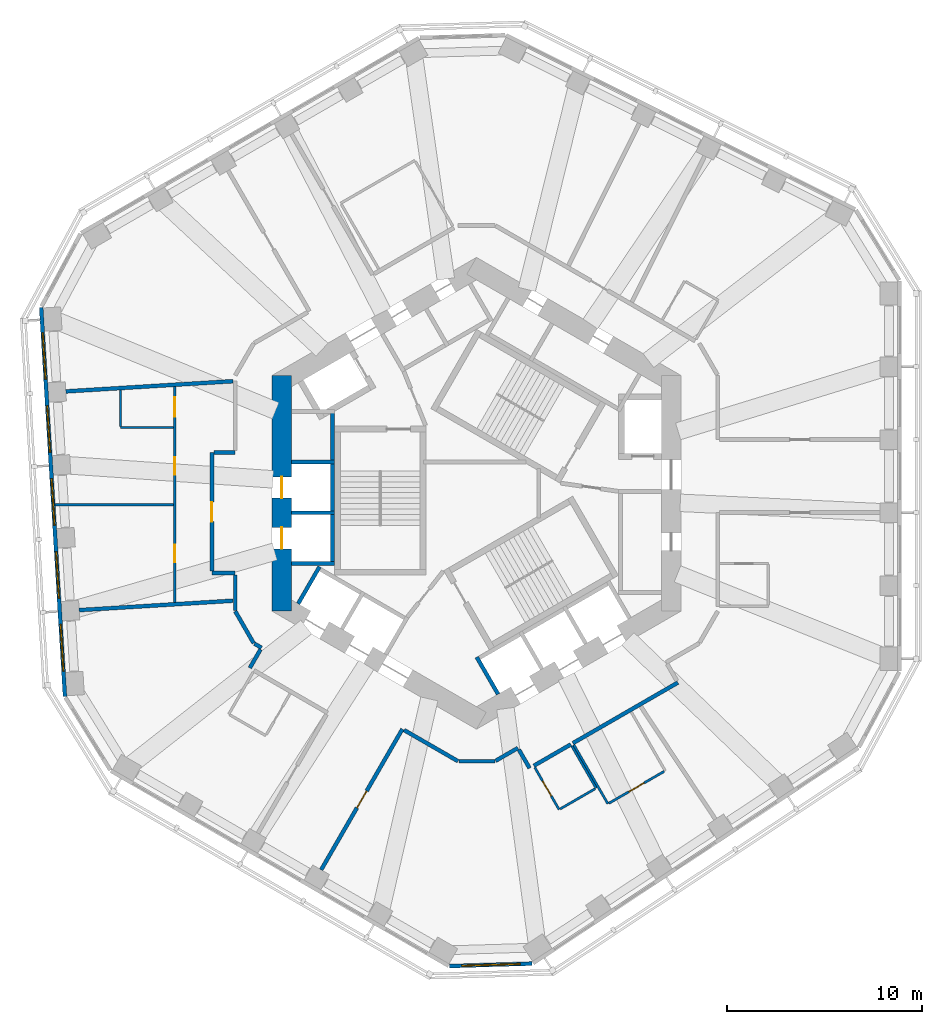
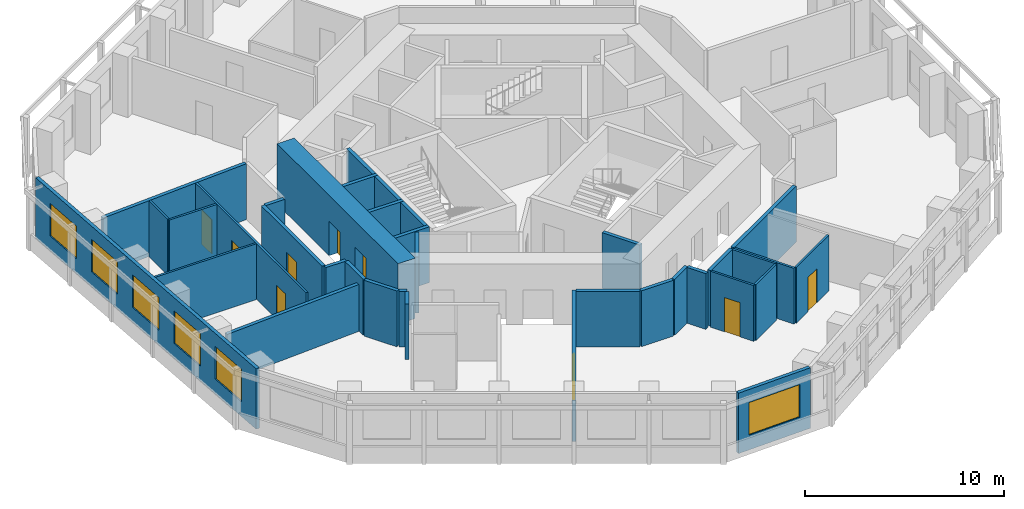
# One storey, part 4 of 11: 34 walls, 9 doors, 6 windows, 15 openings.
"""IFC4 building model written with IfcOpenShell, lengths in metres."""

import ifcopenshell
import ifcopenshell.guid

model = None  # the IFC model being written
_history = None  # IfcOwnerHistory: only IFC2X3 demands one
_inside = {}  # id of a spatial element -> (the spatial element, [elements in it])
_under = {}  # id of a project, library or spatial element -> (it, [spatial elements below it])
_declared = {}  # id of a project -> (the project, [libraries it declares])
_typed = {}  # id of a type object -> (the type object, [elements of that type])
_made_of = {}  # id of a material, layer set ... -> (it, [elements and type objects made of it])


def new_model(schema):
    """Start an empty IFC model of exactly this schema.

    Asked for "IFC4X3", IfcOpenShell would pick the latest addendum, in which some entities
    have other attributes; the version numbers below select the first issue.
    IFC2X3 requires an IfcOwnerHistory on every rooted entity: one is made here for all.
    """
    global model, _history
    if schema == "IFC4X3":
        model = ifcopenshell.file(schema_version=(4, 3, 0, 0))
    else:
        model = ifcopenshell.file(schema=schema)
    _inside.clear()
    _under.clear()
    _declared.clear()
    _typed.clear()
    _made_of.clear()
    _history = None
    if model.schema == "IFC2X3":
        org = make("IfcOrganization", Name="unknown")
        user = make(
            "IfcPersonAndOrganization",
            ThePerson=make("IfcPerson", FamilyName="unknown"),
            TheOrganization=org,
        )
        app = make(
            "IfcApplication",
            ApplicationDeveloper=org,
            Version="unknown",
            ApplicationFullName="unknown",
            ApplicationIdentifier="unknown",
        )
        _history = make(
            "IfcOwnerHistory",
            OwningUser=user,
            OwningApplication=app,
            ChangeAction="ADDED",
            CreationDate=0,
        )
    return model


def make(cls, **values):
    """One entity of the class cls with the attributes given. An attribute that is None is left unset."""
    return model.create_entity(
        cls, **{name: value for name, value in values.items() if value is not None}
    )


def rooted(cls, **values):
    """An entity with a GlobalId (a new one), such as an element, a storey or a relation."""
    return make(cls, GlobalId=ifcopenshell.guid.new(), OwnerHistory=_history, **values)


def si_unit(unit_type, name, prefix=None):
    """IfcSIUnit, for example si_unit("LENGTHUNIT", "METRE", prefix="MILLI")."""
    return make("IfcSIUnit", UnitType=unit_type, Prefix=prefix, Name=name)


def assignment(units):
    """IfcUnitAssignment: the units of a project."""
    return None if units is None else make("IfcUnitAssignment", Units=units)


def point(xyz):
    """IfcCartesianPoint."""
    return None if xyz is None else make("IfcCartesianPoint", Coordinates=xyz)


def direction(xyz):
    """IfcDirection."""
    return None if xyz is None else make("IfcDirection", DirectionRatios=xyz)


def frame(location, z_axis=None, x_axis=None):
    """IfcAxis2Placement3D, a coordinate frame: its origin and axes. An axis left out is left unset."""
    return make(
        "IfcAxis2Placement3D",
        Location=point(location),
        Axis=direction(z_axis),
        RefDirection=direction(x_axis),
    )


def frame_2d(location, x_axis=None):
    """IfcAxis2Placement2D, a coordinate frame in the plane: its origin and x axis."""
    return make(
        "IfcAxis2Placement2D", Location=point(location), RefDirection=direction(x_axis)
    )


def origin():
    """The frame at (0, 0, 0) with its axes left unset."""
    return frame((0.0, 0.0, 0.0))


def place(relative_to, where):
    """IfcLocalPlacement: puts the frame where relative to a parent placement (None: the world)."""
    return make(
        "IfcLocalPlacement", PlacementRelTo=relative_to, RelativePlacement=where
    )


def context(
    kind, dimensions, precision=None, world=None, true_north=None, identifier=None
):
    """IfcGeometricRepresentationContext, for example the 3D "Model" context."""
    return make(
        "IfcGeometricRepresentationContext",
        ContextIdentifier=identifier,
        ContextType=kind,
        CoordinateSpaceDimension=dimensions,
        Precision=precision,
        WorldCoordinateSystem=world,
        TrueNorth=true_north,
    )


def subcontext(parent, identifier, kind, view, scale=None):
    """IfcGeometricRepresentationSubContext, for example "Body" below "Model"."""
    return make(
        "IfcGeometricRepresentationSubContext",
        ContextIdentifier=identifier,
        ContextType=kind,
        ParentContext=parent,
        TargetScale=scale,
        TargetView=view,
    )


def project(units=None, contexts=None):
    """IfcProject with its units and contexts."""
    return rooted(
        "IfcProject",
        Name="project",
        RepresentationContexts=contexts,
        UnitsInContext=assignment(units),
    )


def spatial(cls, under=None, at=None, **own):
    """A site, building, storey or space (cls), placed at a placement, below another one or the project."""
    s = rooted(cls, ObjectPlacement=at, **own)
    if under is not None:
        _under.setdefault(under.id(), (under, []))[1].append(s)
    return s


def profile(cls, at=None, kind="AREA", **sizes):
    """A parametric profile (cls). Its sizes go by their IFC names, for example OverallWidth=200.0."""
    return make(cls, ProfileType=kind, Position=at, **sizes)


def rectangle(**sizes):
    """IfcRectangleProfileDef."""
    return profile("IfcRectangleProfileDef", **sizes)


def extrude(swept, where, along, depth):
    """IfcExtrudedAreaSolid: the profile swept, set in the frame where, extruded along a direction by depth."""
    return make(
        "IfcExtrudedAreaSolid",
        SweptArea=swept,
        Position=where,
        ExtrudedDirection=direction(along),
        Depth=depth,
    )


def shape(context_of_items, identifier, shape_type, items):
    """IfcShapeRepresentation: the items that make up one representation, for example the "Body"."""
    return make(
        "IfcShapeRepresentation",
        ContextOfItems=context_of_items,
        RepresentationIdentifier=identifier,
        RepresentationType=shape_type,
        Items=items,
    )


def material(Name=None, Category=None):
    """IfcMaterial."""
    return make("IfcMaterial", Name=Name, Category=Category)


def layer(
    of_material, thickness, ventilated=None, Name=None, Category=None, Priority=None
):
    """IfcMaterialLayer: one layer of a wall or slab, of a material (None: an air gap)."""
    return make(
        "IfcMaterialLayer",
        Material=of_material,
        LayerThickness=thickness,
        IsVentilated=ventilated,
        Name=Name,
        Category=Category,
        Priority=Priority,
    )


def layer_set(layers, Name=None):
    """IfcMaterialLayerSet."""
    return make("IfcMaterialLayerSet", MaterialLayers=layers, LayerSetName=Name)


def made_of(thing, what):
    """Note that an element or type object is made of a material, layer set ...; save() writes the relation."""
    if what is not None:
        _made_of.setdefault(what.id(), (what, []))[1].append(thing)
    return thing


def type_object(cls, material=None, **own):
    """A type object (cls), such as IfcWallType, which elements share."""
    return made_of(rooted(cls, **own), material)


def element(
    cls,
    number,
    at=None,
    inside=None,
    cuts=None,
    type_object=None,
    material=None,
    context=None,
    identifier="Body",
    shape_type=None,
    held_by="IfcProductDefinitionShape",
    body=None,
    shapes=None,
    **own,
):
    """One element of the class cls, such as IfcWall. Its Tag is "e" and its number.

    at: its placement. inside: the storey or other place that contains it. cuts: it is an
    opening in that element (IfcRelVoidsElement). A single representation is given by context,
    identifier, shape_type and body (its items); several are given by shapes. held_by: the class
    of the entity that holds the representations. save() writes the other relations.
    """
    e = rooted(cls, Tag="e%d" % number, ObjectPlacement=at, **own)
    if body is not None:
        shapes = [shape(context, identifier, shape_type, body)]
    if shapes is not None:
        e.Representation = make(held_by, Representations=shapes)
    if inside is not None:
        _inside.setdefault(inside.id(), (inside, []))[1].append(e)
    if cuts is not None:
        rooted(
            "IfcRelVoidsElement", RelatingBuildingElement=cuts, RelatedOpeningElement=e
        )
    if type_object is not None:
        _typed.setdefault(type_object.id(), (type_object, []))[1].append(e)
    return made_of(e, material)


def fill(opening, filler):
    """IfcRelFillsElement: the door or window that sits in an opening."""
    return rooted(
        "IfcRelFillsElement",
        RelatingOpeningElement=opening,
        RelatedBuildingElement=filler,
    )


def aggregate(whole, parts):
    """IfcRelAggregates: a whole, such as a stair, and the parts it consists of."""
    return rooted("IfcRelAggregates", RelatingObject=whole, RelatedObjects=parts)


def save(model, path):
    """Write the relations noted so far, then the file.

    IfcRelAggregates (storeys below a building ...), IfcRelContainedInSpatialStructure (elements
    in a storey), IfcRelDefinesByType, IfcRelAssociatesMaterial and IfcRelDeclares: one each for
    every whole, place, type object, material and project.
    """
    for whole, parts in _under.values():
        aggregate(whole, parts)
    for where, things in _inside.values():
        rooted(
            "IfcRelContainedInSpatialStructure",
            RelatedElements=things,
            RelatingStructure=where,
        )
    for kind, things in _typed.values():
        rooted("IfcRelDefinesByType", RelatedObjects=things, RelatingType=kind)
    for what, things in _made_of.values():
        rooted("IfcRelAssociatesMaterial", RelatedObjects=things, RelatingMaterial=what)
    for by, libraries in _declared.values():
        rooted("IfcRelDeclares", RelatingContext=by, RelatedDefinitions=libraries)
    model.write(path)


model = new_model("IFC4")

# Units and contexts
model_context = context("Model", 3, precision=1e-05, world=origin(), true_north=direction((0.0, 1.0)))
body_context = subcontext(model_context, "Body", "Model", "MODEL_VIEW")
ifc_project = project(units=[si_unit("LENGTHUNIT", "METRE"), si_unit("AREAUNIT", "SQUARE_METRE"), si_unit("VOLUMEUNIT", "CUBIC_METRE"), si_unit("PLANEANGLEUNIT", "RADIAN"), si_unit("MASSUNIT", "GRAM", prefix="KILO")], contexts=[model_context])

# Site, building, storey
site_placement = place(None, origin())
site = spatial("IfcSite", under=ifc_project, at=site_placement, CompositionType="ELEMENT")
building_placement = place(site_placement, origin())
building = spatial("IfcBuilding", under=site, at=building_placement, Name="Vanh Sen Convention Tower", CompositionType="ELEMENT")
storey_placement = place(building_placement, frame((0.0, 0.0, 154.0)))
storey = spatial("IfcBuildingStorey", under=building, at=storey_placement, Name="L37", CompositionType="ELEMENT", Elevation=154.0)

# Walls
ifc_material_1 = material(Name="Moisture-resistant gypsum board on steel studs", Category="steel")
ifc_layer_1 = layer(ifc_material_1, 0.1201171875)
ifc_layer_set_1 = layer_set([ifc_layer_1], Name="Moisture-resistant gypsum board on steel studs")
wall_type_1 = type_object("IfcWallType", Name="Bathroom partition 120", PredefinedType="PARTITIONING", material=ifc_layer_set_1)
wall_1_placement = place(storey_placement, frame((-21.65380859375, -0.591796875, 0.0), z_axis=(0.0, 0.0, 1.0), x_axis=(1.0, 0.0, 0.0)))
element("IfcWall", 1, at=wall_1_placement, inside=storey, type_object=wall_type_1, Name="Bathroom partition 120", PredefinedType="PARTITIONING", context=body_context, shape_type="SweptSolid", body=[
    extrude(rectangle(XDim=6.0927734375, YDim=0.1201171875, at=frame_2d((3.04638671875, 0.0))), origin(), (0.0, 0.0, 1.0), 3.419921875),
])
wall_2_placement = place(storey_placement, frame((-18.301025390625, 3.379638671875, 0.0), z_axis=(0.0, 0.0, 1.0), x_axis=(1.0, 0.0, 0.0)))
element("IfcWall", 2, at=wall_2_placement, inside=storey, type_object=wall_type_1, Name="Bathroom partition 120", PredefinedType="PARTITIONING", context=body_context, shape_type="SweptSolid", body=[
    extrude(rectangle(XDim=2.739990234375, YDim=0.1201171875, at=frame_2d((1.3701171875, 0.0))), origin(), (0.0, 0.0, 1.0), 3.419921875),
])
wall_3_placement = place(storey_placement, frame((-18.301025390625, 5.308349609375, 0.0), z_axis=(0.0, 0.0, 1.0), x_axis=(0.0, -1.0, 0.0)))
element("IfcWall", 3, at=wall_3_placement, inside=storey, type_object=wall_type_1, Name="Bathroom partition 120", PredefinedType="PARTITIONING", context=body_context, shape_type="SweptSolid", body=[
    extrude(rectangle(XDim=1.86865234375, YDim=0.1201171875, at=frame_2d((0.934326171875, 0.0))), origin(), (0.0, 0.0, 1.0), 3.419921875),
])

# Wall, openings, doors
wall_4_placement = place(storey_placement, frame((-15.5009765625, 5.4794921875, 0.0), z_axis=(0.0, 0.0, 1.0), x_axis=(0.0, -1.0, 0.0)))
wall_4 = element("IfcWall", 4, at=wall_4_placement, inside=storey, type_object=wall_type_1, Name="Bathroom partition 120", PredefinedType="PARTITIONING", context=body_context, shape_type="SweptSolid", body=[
    extrude(rectangle(XDim=11.08349609375, YDim=0.1201171875, at=frame_2d((5.541748046875, 0.0))), origin(), (0.0, 0.0, 1.0), 3.419921875),
])
opening_1_placement = place(wall_4_placement, frame((0.550048828125, 0.0, 0.0)))
opening_1 = element("IfcOpeningElement", 5, at=opening_1_placement, cuts=wall_4, Name="Opening D35108", PredefinedType="OPENING", context=body_context, shape_type="SweptSolid", body=[
    extrude(rectangle(XDim=1.0, YDim=2.10009765625, at=frame_2d((0.5, 1.050048828125))), frame((0.0, 0.070068359375, 0.0), z_axis=(0.0, -1.0, 0.0), x_axis=(1.0, 0.0, 0.0)), (0.0, 0.0, 1.0), 0.14013671875),
])
opening_2_placement = place(wall_4_placement, frame((3.6357421875, 0.0, 0.0)))
opening_2 = element("IfcOpeningElement", 6, at=opening_2_placement, cuts=wall_4, Name="Opening D35109", PredefinedType="OPENING", context=body_context, shape_type="SweptSolid", body=[
    extrude(rectangle(XDim=0.89990234375, YDim=2.10009765625, at=frame_2d((0.449951171875, 1.050048828125))), frame((0.0, 0.070068359375, 0.0), z_axis=(0.0, -1.0, 0.0), x_axis=(1.0, 0.0, 0.0)), (0.0, 0.0, 1.0), 0.14013671875),
])
opening_3_placement = place(wall_4_placement, frame((8.12744140625, 0.0, 0.0)))
opening_3 = element("IfcOpeningElement", 7, at=opening_3_placement, cuts=wall_4, Name="Opening D35110", PredefinedType="OPENING", context=body_context, shape_type="SweptSolid", body=[
    extrude(rectangle(XDim=0.89990234375, YDim=2.10009765625, at=frame_2d((0.449951171875, 1.050048828125))), frame((0.0, 0.070068359375, 0.0), z_axis=(0.0, -1.0, 0.0), x_axis=(1.0, 0.0, 0.0)), (0.0, 0.0, 1.0), 0.14013671875),
])
ifc_material_2 = material(Name="Laminate door in steel frame", Category="steel")
door_type_1 = type_object("IfcDoorType", Name="Accessible WC door 1000", OperationType="SINGLE_SWING_LEFT", PredefinedType="DOOR", material=ifc_material_2)
door_1_placement = place(opening_1_placement, origin())
door_1 = element("IfcDoor", 8, at=door_1_placement, inside=storey, type_object=door_type_1, Name="Accessible WC door D35108", OperationType="SINGLE_SWING_LEFT", OverallHeight=2.10009765625, OverallWidth=1.0, PredefinedType="DOOR", context=body_context, shape_type="SweptSolid", body=[
    extrude(rectangle(XDim=1.0, YDim=2.10009765625, at=frame_2d((0.5, 1.050048828125))), frame((0.0, 0.02490234375, 0.0), z_axis=(0.0, -1.0, 0.0), x_axis=(1.0, 0.0, 0.0)), (0.0, 0.0, 1.0), 0.050048828125),
])
fill(opening_1, door_1)
door_type_2 = type_object("IfcDoorType", Name="Room internal door 900", OperationType="SINGLE_SWING_LEFT", PredefinedType="DOOR", material=ifc_material_2)
door_2_placement = place(opening_2_placement, origin())
door_2 = element("IfcDoor", 9, at=door_2_placement, inside=storey, type_object=door_type_2, Name="Internal room door D35109", OperationType="SINGLE_SWING_LEFT", OverallHeight=2.10009765625, OverallWidth=0.89990234375, PredefinedType="DOOR", context=body_context, shape_type="SweptSolid", body=[
    extrude(rectangle(XDim=0.89990234375, YDim=2.10009765625, at=frame_2d((0.449951171875, 1.050048828125))), frame((0.0, 0.02490234375, 0.0), z_axis=(0.0, -1.0, 0.0), x_axis=(1.0, 0.0, 0.0)), (0.0, 0.0, 1.0), 0.050048828125),
])
fill(opening_2, door_2)
door_3_placement = place(opening_3_placement, origin())
door_3 = element("IfcDoor", 10, at=door_3_placement, inside=storey, type_object=door_type_2, Name="Internal room door D35110", OperationType="SINGLE_SWING_LEFT", OverallHeight=2.10009765625, OverallWidth=0.89990234375, PredefinedType="DOOR", context=body_context, shape_type="SweptSolid", body=[
    extrude(rectangle(XDim=0.89990234375, YDim=2.10009765625, at=frame_2d((0.449951171875, 1.050048828125))), frame((0.0, 0.02490234375, 0.0), z_axis=(0.0, -1.0, 0.0), x_axis=(1.0, 0.0, 0.0)), (0.0, 0.0, 1.0), 0.050048828125),
])
fill(opening_3, door_3)

# Wall, opening, door
wall_5_placement = place(storey_placement, frame((4.245849609375, -16.256103515625, 0.0), z_axis=(0.0, 0.0, 1.0), x_axis=(-0.499961950354, 0.866047370643, 0.0)))
wall_5 = element("IfcWall", 11, at=wall_5_placement, inside=storey, type_object=wall_type_1, Name="Bathroom partition 120", PredefinedType="PARTITIONING", context=body_context, shape_type="SweptSolid", body=[
    extrude(rectangle(XDim=2.500244140625, YDim=0.1201171875, at=frame_2d((1.25, 0.0))), origin(), (0.0, 0.0, 1.0), 3.419921875),
])
opening_4_placement = place(wall_5_placement, frame((0.800048828125, 0.0, 0.0)))
opening_4 = element("IfcOpeningElement", 12, at=opening_4_placement, cuts=wall_5, Name="Opening D35114", PredefinedType="OPENING", context=body_context, shape_type="SweptSolid", body=[
    extrude(rectangle(XDim=0.89990234375, YDim=2.10009765625, at=frame_2d((0.449951171875, 1.050048828125))), frame((0.0, 0.070068359375, 0.0), z_axis=(0.0, -1.0, 0.0), x_axis=(1.0, 0.0, 0.0)), (0.0, 0.0, 1.0), 0.14013671875),
])
door_4_placement = place(opening_4_placement, origin())
door_4 = element("IfcDoor", 13, at=door_4_placement, inside=storey, type_object=door_type_2, Name="Internal room door D35114", OperationType="SINGLE_SWING_LEFT", OverallHeight=2.10009765625, OverallWidth=0.89990234375, PredefinedType="DOOR", context=body_context, shape_type="SweptSolid", body=[
    extrude(rectangle(XDim=0.89990234375, YDim=2.10009765625, at=frame_2d((0.449951171875, 1.050048828125))), frame((0.0, 0.02490234375, 0.0), z_axis=(0.0, -1.0, 0.0), x_axis=(1.0, 0.0, 0.0)), (0.0, 0.0, 1.0), 0.050048828125),
])
fill(opening_4, door_4)

# Walls
wall_6_placement = place(storey_placement, frame((4.901123046875, -12.990966796875, 0.0), z_axis=(0.0, 0.0, 1.0), x_axis=(0.500004234368, -0.866022959057, 0.0)))
element("IfcWall", 14, at=wall_6_placement, inside=storey, type_object=wall_type_1, Name="Bathroom partition 120", PredefinedType="PARTITIONING", context=body_context, shape_type="SweptSolid", body=[
    extrude(rectangle(XDim=2.5, YDim=0.1201171875, at=frame_2d((1.25, 0.0))), origin(), (0.0, 0.0, 1.0), 3.419921875),
])
wall_7_placement = place(storey_placement, frame((6.09912109375, -15.18603515625, 0.0), z_axis=(0.0, 0.0, 1.0), x_axis=(-0.866009661879, -0.500027264788, 0.0)))
element("IfcWall", 15, at=wall_7_placement, inside=storey, type_object=wall_type_1, Name="Bathroom partition 120", PredefinedType="PARTITIONING", context=body_context, shape_type="SweptSolid", body=[
    extrude(rectangle(XDim=2.080078125, YDim=0.1201171875, at=frame_2d((1.0400390625, 0.0))), origin(), (0.0, 0.0, 1.0), 3.419921875),
])
wall_8_placement = place(storey_placement, frame((6.7548828125, -15.9619140625, 0.0), z_axis=(0.0, 0.0, 1.0), x_axis=(-0.500010275428, 0.866019471182, 0.0)))
element("IfcWall", 16, at=wall_8_placement, inside=storey, type_object=wall_type_1, Name="Bathroom partition 120", PredefinedType="PARTITIONING", context=body_context, shape_type="SweptSolid", body=[
    extrude(rectangle(XDim=3.5, YDim=0.1201171875, at=frame_2d((1.75, 0.0))), origin(), (0.0, 0.0, 1.0), 3.419921875),
])

# Wall, opening, door
wall_9_placement = place(storey_placement, frame((9.6474609375, -14.2919921875, 0.0), z_axis=(0.0, 0.0, 1.0), x_axis=(-0.866040564224, -0.499973740429, 0.0)))
wall_9 = element("IfcWall", 17, at=wall_9_placement, inside=storey, type_object=wall_type_1, Name="Bathroom partition 120", PredefinedType="PARTITIONING", context=body_context, shape_type="SweptSolid", body=[
    extrude(rectangle(XDim=3.280029296875, YDim=0.1201171875, at=frame_2d((1.64013671875, 0.0))), origin(), (0.0, 0.0, 1.0), 3.419921875),
])
opening_5_placement = place(wall_9_placement, frame((1.18994140625, 0.0, 0.0)))
opening_5 = element("IfcOpeningElement", 18, at=opening_5_placement, cuts=wall_9, Name="Opening D35115", PredefinedType="OPENING", context=body_context, shape_type="SweptSolid", body=[
    extrude(rectangle(XDim=0.89990234375, YDim=2.10009765625, at=frame_2d((0.449951171875, 1.050048828125))), frame((0.0, 0.070068359375, 0.0), z_axis=(0.0, -1.0, 0.0), x_axis=(1.0, 0.0, 0.0)), (0.0, 0.0, 1.0), 0.14013671875),
])
door_5_placement = place(opening_5_placement, origin())
door_5 = element("IfcDoor", 19, at=door_5_placement, inside=storey, type_object=door_type_2, Name="Internal room door D35115", OperationType="SINGLE_SWING_LEFT", OverallHeight=2.10009765625, OverallWidth=0.89990234375, PredefinedType="DOOR", context=body_context, shape_type="SweptSolid", body=[
    extrude(rectangle(XDim=0.89990234375, YDim=2.10009765625, at=frame_2d((0.449951171875, 1.050048828125))), frame((0.0, 0.02490234375, 0.0), z_axis=(0.0, -1.0, 0.0), x_axis=(1.0, 0.0, 0.0)), (0.0, 0.0, 1.0), 0.050048828125),
])
fill(opening_5, door_5)

# Wall, openings, doors
ifc_material_3 = material(Name="Concrete C80/95", Category="concrete")
ifc_layer_2 = layer(ifc_material_3, 1.0)
ifc_layer_set_2 = layer_set([ifc_layer_2], Name="Concrete C80/95")
wall_type_2 = type_object("IfcWallType", Name="Core outer wall 1000 C80/95", PredefinedType="SHEAR", material=ifc_layer_set_2)
wall_10_placement = place(storey_placement, frame((-10.0, 6.062255859375, 0.0), z_axis=(0.0, 0.0, 1.0), x_axis=(0.0, -1.0, 0.0)))
wall_10 = element("IfcWall", 20, at=wall_10_placement, inside=storey, type_object=wall_type_2, Name="Core wall face W L37", PredefinedType="SHEAR", context=body_context, shape_type="SweptSolid", body=[
    extrude(rectangle(XDim=12.12451171875, YDim=1.0, at=frame_2d((6.062255859375, 0.0))), origin(), (0.0, 0.0, 1.0), 3.699951171875),
])
opening_6_placement = place(wall_10_placement, frame((5.212158203125, 0.0, 0.0)))
opening_6 = element("IfcOpeningElement", 21, at=opening_6_placement, cuts=wall_10, Name="Opening LD-HR1", PredefinedType="OPENING", context=body_context, shape_type="SweptSolid", body=[
    extrude(rectangle(XDim=1.10009765625, YDim=2.10009765625, at=frame_2d((0.550048828125, 1.050048828125))), frame((0.0, 0.510009765625, 0.0), z_axis=(0.0, -1.0, 0.0), x_axis=(1.0, 0.0, 0.0)), (0.0, 0.0, 1.0), 1.02001953125),
])
opening_7_placement = place(wall_10_placement, frame((7.812255859375, 0.0, 0.0)))
opening_7 = element("IfcOpeningElement", 22, at=opening_7_placement, cuts=wall_10, Name="Opening LD-HR2", PredefinedType="OPENING", context=body_context, shape_type="SweptSolid", body=[
    extrude(rectangle(XDim=1.10009765625, YDim=2.10009765625, at=frame_2d((0.550048828125, 1.050048828125))), frame((0.0, 0.510009765625, 0.0), z_axis=(0.0, -1.0, 0.0), x_axis=(1.0, 0.0, 0.0)), (0.0, 0.0, 1.0), 1.02001953125),
])
ifc_material_4 = material(Name="Stainless steel", Category="steel")
door_type_3 = type_object("IfcDoorType", Name="Lift landing door 1100", OperationType="DOUBLE_DOOR_SLIDING", PredefinedType="DOOR", material=ifc_material_4)
door_6_placement = place(opening_6_placement, origin())
door_6 = element("IfcDoor", 23, at=door_6_placement, inside=storey, type_object=door_type_3, Name="Lift HR1 landing door LD-HR1", OperationType="DOUBLE_DOOR_SLIDING", OverallHeight=2.10009765625, OverallWidth=1.10009765625, PredefinedType="DOOR", context=body_context, shape_type="SweptSolid", body=[
    extrude(rectangle(XDim=1.10009765625, YDim=2.10009765625, at=frame_2d((0.550048828125, 1.050048828125))), frame((0.0, 0.02490234375, 0.0), z_axis=(0.0, -1.0, 0.0), x_axis=(1.0, 0.0, 0.0)), (0.0, 0.0, 1.0), 0.050048828125),
])
fill(opening_6, door_6)
door_7_placement = place(opening_7_placement, origin())
door_7 = element("IfcDoor", 24, at=door_7_placement, inside=storey, type_object=door_type_3, Name="Lift HR2 landing door LD-HR2", OperationType="DOUBLE_DOOR_SLIDING", OverallHeight=2.10009765625, OverallWidth=1.10009765625, PredefinedType="DOOR", context=body_context, shape_type="SweptSolid", body=[
    extrude(rectangle(XDim=1.10009765625, YDim=2.10009765625, at=frame_2d((0.550048828125, 1.050048828125))), frame((0.0, 0.02490234375, 0.0), z_axis=(0.0, -1.0, 0.0), x_axis=(1.0, 0.0, 0.0)), (0.0, 0.0, 1.0), 0.050048828125),
])
fill(opening_7, door_7)

# Wall
ifc_material_5 = material(Name="Gypsum board on steel studs with mineral wool", Category="steel")
ifc_layer_3 = layer(ifc_material_5, 0.199951171875)
ifc_layer_set_3 = layer_set([ifc_layer_3], Name="Gypsum board on steel studs with mineral wool")
wall_type_3 = type_object("IfcWallType", Name="Corridor partition wall 200", PredefinedType="PARTITIONING", material=ifc_layer_set_3)
wall_11_placement = place(storey_placement, frame((-13.60107421875, -4.10107421875, 0.0), z_axis=(0.0, 0.0, 1.0), x_axis=(1.0, 0.0, 0.0)))
element("IfcWall", 25, at=wall_11_placement, inside=storey, type_object=wall_type_3, Name="Corridor partition wall 200", PredefinedType="PARTITIONING", context=body_context, shape_type="SweptSolid", body=[
    extrude(rectangle(XDim=1.201171875, YDim=0.199951171875, at=frame_2d((0.6005859375, 0.0))), origin(), (0.0, 0.0, 1.0), 3.419921875),
])

# Wall, opening, door
wall_12_placement = place(storey_placement, frame((-13.60107421875, 2.10107421875, 0.0), z_axis=(0.0, 0.0, 1.0), x_axis=(0.0, -1.0, 0.0)))
wall_12 = element("IfcWall", 26, at=wall_12_placement, inside=storey, type_object=wall_type_3, Name="Corridor partition wall 200", PredefinedType="PARTITIONING", context=body_context, shape_type="SweptSolid", body=[
    extrude(rectangle(XDim=6.10205078125, YDim=0.199951171875, at=frame_2d((3.051025390625, 0.0))), origin(), (0.0, 0.0, 1.0), 3.419921875),
])
opening_8_placement = place(wall_12_placement, frame((2.551025390625, 0.0, 0.0)))
opening_8 = element("IfcOpeningElement", 27, at=opening_8_placement, cuts=wall_12, Name="Opening D35107", PredefinedType="OPENING", context=body_context, shape_type="SweptSolid", body=[
    extrude(rectangle(XDim=1.0, YDim=2.10009765625, at=frame_2d((0.5, 1.050048828125))), frame((0.0, 0.10986328125, 0.0), z_axis=(0.0, -1.0, 0.0), x_axis=(1.0, 0.0, 0.0)), (0.0, 0.0, 1.0), 0.219970703125),
])
ifc_material_6 = material(Name="Timber fire door in steel frame", Category="steel")
door_type_4 = type_object("IfcDoorType", Name="Floor room door 1000", OperationType="SINGLE_SWING_LEFT", PredefinedType="DOOR", material=ifc_material_6)
door_8_placement = place(opening_8_placement, origin())
door_8 = element("IfcDoor", 28, at=door_8_placement, inside=storey, type_object=door_type_4, Name="Meeting and amenity room door D35107", OperationType="SINGLE_SWING_LEFT", OverallHeight=2.10009765625, OverallWidth=1.0, PredefinedType="DOOR", context=body_context, shape_type="SweptSolid", body=[
    extrude(rectangle(XDim=1.0, YDim=2.10009765625, at=frame_2d((0.5, 1.050048828125))), frame((0.0, 0.02490234375, 0.0), z_axis=(0.0, -1.0, 0.0), x_axis=(1.0, 0.0, 0.0)), (0.0, 0.0, 1.0), 0.050048828125),
])
fill(opening_8, door_8)

# Walls
wall_13_placement = place(storey_placement, frame((-12.39990234375, -6.062255859375, 0.0), z_axis=(0.0, 0.0, 1.0), x_axis=(0.500022797313, -0.86601224135, 0.0)))
element("IfcWall", 29, at=wall_13_placement, inside=storey, type_object=wall_type_3, Name="Corridor partition wall 200", PredefinedType="PARTITIONING", context=body_context, shape_type="SweptSolid", body=[
    extrude(rectangle(XDim=1.89990234375, YDim=0.199951171875, at=frame_2d((0.949951171875, 0.0))), origin(), (0.0, 0.0, 1.0), 3.419921875),
])
wall_14_placement = place(storey_placement, frame((-12.39990234375, -4.200927734375, 0.0), z_axis=(0.0, 0.0, 1.0), x_axis=(0.0, -1.0, 0.0)))
element("IfcWall", 30, at=wall_14_placement, inside=storey, type_object=wall_type_3, Name="Corridor partition wall 200", PredefinedType="PARTITIONING", context=body_context, shape_type="SweptSolid", body=[
    extrude(rectangle(XDim=1.8212890625, YDim=0.199951171875, at=frame_2d((0.91064453125, 0.0))), origin(), (0.0, 0.0, 1.0), 3.419921875),
])
wall_15_placement = place(storey_placement, frame((-12.39990234375, 2.10107421875, 0.0), z_axis=(0.0, 0.0, 1.0), x_axis=(-1.0, 0.0, 0.0)))
element("IfcWall", 31, at=wall_15_placement, inside=storey, type_object=wall_type_3, Name="Corridor partition wall 200", PredefinedType="PARTITIONING", context=body_context, shape_type="SweptSolid", body=[
    extrude(rectangle(XDim=1.10107421875, YDim=0.199951171875, at=frame_2d((0.550537109375, 0.0))), origin(), (0.0, 0.0, 1.0), 3.419921875),
])
wall_16_placement = place(storey_placement, frame((-11.415283203125, -7.7275390625, 0.0), z_axis=(0.0, 0.0, 1.0), x_axis=(0.865915281873, -0.500190688257, 0.0)))
element("IfcWall", 32, at=wall_16_placement, inside=storey, type_object=wall_type_3, Name="Corridor partition wall 200", PredefinedType="PARTITIONING", context=body_context, shape_type="SweptSolid", body=[
    extrude(rectangle(XDim=0.421142578125, YDim=0.199951171875, at=frame_2d((0.21044921875, 0.0))), origin(), (0.0, 0.0, 1.0), 3.419921875),
])
wall_17_placement = place(storey_placement, frame((-11.1005859375, -8.02490234375, 0.0), z_axis=(0.0, 0.0, 1.0), x_axis=(-0.500074377092, -0.865982457891, 0.0)))
element("IfcWall", 33, at=wall_17_placement, inside=storey, type_object=wall_type_3, Name="Corridor partition wall 200", PredefinedType="PARTITIONING", context=body_context, shape_type="SweptSolid", body=[
    extrude(rectangle(XDim=1.100830078125, YDim=0.199951171875, at=frame_2d((0.55029296875, 0.0))), origin(), (0.0, 0.0, 1.0), 3.419921875),
])

# Wall, opening, door
wall_18_placement = place(storey_placement, frame((-7.983642578125, -19.3505859375, 0.0), z_axis=(0.0, 0.0, 1.0), x_axis=(0.500010139422, 0.866019549707, 0.0)))
wall_18 = element("IfcWall", 34, at=wall_18_placement, inside=storey, type_object=wall_type_3, Name="Corridor partition wall 200", PredefinedType="PARTITIONING", context=body_context, shape_type="SweptSolid", body=[
    extrude(rectangle(XDim=8.349853515625, YDim=0.199951171875, at=frame_2d((4.1748046875, 0.0))), origin(), (0.0, 0.0, 1.0), 3.419921875),
])
opening_9_placement = place(wall_18_placement, frame((3.675048828125, 0.0, 0.0)))
opening_9 = element("IfcOpeningElement", 35, at=opening_9_placement, cuts=wall_18, Name="Opening D35113", PredefinedType="OPENING", context=body_context, shape_type="SweptSolid", body=[
    extrude(rectangle(XDim=1.0, YDim=2.10009765625, at=frame_2d((0.5, 1.050048828125))), frame((0.0, 0.10986328125, 0.0), z_axis=(0.0, -1.0, 0.0), x_axis=(1.0, 0.0, 0.0)), (0.0, 0.0, 1.0), 0.219970703125),
])
ifc_material_7 = material(Name="Glazed fire door in steel frame", Category="steel")
door_type_5 = type_object("IfcDoorType", Name="Tenant entrance door 1000", OperationType="SINGLE_SWING_LEFT", PredefinedType="DOOR", material=ifc_material_7)
door_9_placement = place(opening_9_placement, origin())
door_9 = element("IfcDoor", 36, at=door_9_placement, inside=storey, type_object=door_type_5, Name="Tenant suite entrance door D35113", OperationType="SINGLE_SWING_LEFT", OverallHeight=2.10009765625, OverallWidth=1.0, PredefinedType="DOOR", context=body_context, shape_type="SweptSolid", body=[
    extrude(rectangle(XDim=1.0, YDim=2.10009765625, at=frame_2d((0.5, 1.050048828125))), frame((0.0, 0.02490234375, 0.0), z_axis=(0.0, -1.0, 0.0), x_axis=(1.0, 0.0, 0.0)), (0.0, 0.0, 1.0), 0.050048828125),
])
fill(opening_9, door_9)

# Walls
wall_19_placement = place(storey_placement, frame((-3.721923828125, -12.16943359375, 0.0), z_axis=(0.0, 0.0, 1.0), x_axis=(0.866033163891, -0.499986558861, 0.0)))
element("IfcWall", 37, at=wall_19_placement, inside=storey, type_object=wall_type_3, Name="Corridor partition wall 200", PredefinedType="PARTITIONING", context=body_context, shape_type="SweptSolid", body=[
    extrude(rectangle(XDim=3.20068359375, YDim=0.199951171875, at=frame_2d((1.600341796875, 0.0))), origin(), (0.0, 0.0, 1.0), 3.419921875),
])
wall_20_placement = place(storey_placement, frame((-0.909912109375, -13.769775390625, 0.0), z_axis=(0.0, 0.0, 1.0), x_axis=(1.0, 0.0, 0.0)))
element("IfcWall", 38, at=wall_20_placement, inside=storey, type_object=wall_type_3, Name="Corridor partition wall 200", PredefinedType="PARTITIONING", context=body_context, shape_type="SweptSolid", body=[
    extrude(rectangle(XDim=1.85986328125, YDim=0.199951171875, at=frame_2d((0.929931640625, 0.0))), origin(), (0.0, 0.0, 1.0), 3.419921875),
])
wall_21_placement = place(storey_placement, frame((0.984619140625, -13.749755859375, 0.0), z_axis=(0.0, 0.0, 1.0), x_axis=(0.866028661061, 0.499994358189, 0.0)))
element("IfcWall", 39, at=wall_21_placement, inside=storey, type_object=wall_type_3, Name="Corridor partition wall 200", PredefinedType="PARTITIONING", context=body_context, shape_type="SweptSolid", body=[
    extrude(rectangle(XDim=1.3212890625, YDim=0.199951171875, at=frame_2d((0.66064453125, 0.0))), origin(), (0.0, 0.0, 1.0), 3.419921875),
])
wall_22_placement = place(storey_placement, frame((2.1787109375, -13.17578125, 0.0), z_axis=(0.0, 0.0, 1.0), x_axis=(0.499978356969, -0.866037899034, 0.0)))
element("IfcWall", 40, at=wall_22_placement, inside=storey, type_object=wall_type_3, Name="Corridor partition wall 200", PredefinedType="PARTITIONING", context=body_context, shape_type="SweptSolid", body=[
    extrude(rectangle(XDim=1.10107421875, YDim=0.199951171875, at=frame_2d((0.550537109375, 0.0))), origin(), (0.0, 0.0, 1.0), 3.419921875),
])
wall_23_placement = place(storey_placement, frame((2.94580078125, -14.00439453125, 0.0), z_axis=(0.0, 0.0, 1.0), x_axis=(0.866008176907, 0.50002983664, 0.0)))
element("IfcWall", 41, at=wall_23_placement, inside=storey, type_object=wall_type_3, Name="Corridor partition wall 200", PredefinedType="PARTITIONING", context=body_context, shape_type="SweptSolid", body=[
    extrude(rectangle(XDim=2.199951171875, YDim=0.199951171875, at=frame_2d((1.10009765625, 0.0))), origin(), (0.0, 0.0, 1.0), 3.419921875),
])
wall_24_placement = place(storey_placement, frame((4.955078125, -12.84423828125, 0.0), z_axis=(0.0, 0.0, 1.0), x_axis=(0.86602379309, 0.500002789795, 0.0)))
element("IfcWall", 42, at=wall_24_placement, inside=storey, type_object=wall_type_3, Name="Corridor partition wall 200", PredefinedType="PARTITIONING", context=body_context, shape_type="SweptSolid", body=[
    extrude(rectangle(XDim=6.23193359375, YDim=0.199951171875, at=frame_2d((3.115966796875, 0.0))), origin(), (0.0, 0.0, 1.0), 3.419921875),
])

# Wall, openings, windows
ifc_material_8 = material(Name="Insulated lightweight infill wall")
ifc_layer_4 = layer(ifc_material_8, 0.199951171875)
ifc_layer_set_4 = layer_set([ifc_layer_4], Name="Insulated lightweight infill wall")
wall_type_4 = type_object("IfcWallType", Name="External wall 200", PredefinedType="STANDARD", material=ifc_layer_set_4)
wall_25_placement = place(storey_placement, frame((-22.375, 9.55712890625, 0.0), z_axis=(0.0, 0.0, 1.0), x_axis=(0.061036015339, -0.998135564356, 0.0)))
wall_25 = element("IfcWall", 43, at=wall_25_placement, inside=storey, type_object=wall_type_4, Name="External wall W L37", PredefinedType="STANDARD", context=body_context, shape_type="SweptSolid", body=[
    extrude(rectangle(XDim=20.043701171875, YDim=0.199951171875, at=frame_2d((10.02197265625, 0.0))), origin(), (0.0, 0.0, 1.0), 3.699951171875),
])
opening_10_placement = place(wall_25_placement, frame((1.312744140625, 0.0, 0.89990234375)))
opening_10 = element("IfcOpeningElement", 44, at=opening_10_placement, cuts=wall_25, Name="Opening WO1-W1", PredefinedType="OPENING", context=body_context, shape_type="SweptSolid", body=[
    extrude(rectangle(XDim=2.39990234375, YDim=2.0, at=frame_2d((1.199951171875, 1.0))), frame((0.0, 0.10986328125, 0.0), z_axis=(0.0, -1.0, 0.0), x_axis=(1.0, 0.0, 0.0)), (0.0, 0.0, 1.0), 0.219970703125),
])
opening_11_placement = place(wall_25_placement, frame((5.06689453125, 0.0, 0.89990234375)))
opening_11 = element("IfcOpeningElement", 45, at=opening_11_placement, cuts=wall_25, Name="Opening WO1-W2", PredefinedType="OPENING", context=body_context, shape_type="SweptSolid", body=[
    extrude(rectangle(XDim=2.39990234375, YDim=2.0, at=frame_2d((1.199951171875, 1.0))), frame((0.0, 0.10986328125, 0.0), z_axis=(0.0, -1.0, 0.0), x_axis=(1.0, 0.0, 0.0)), (0.0, 0.0, 1.0), 0.219970703125),
])
opening_12_placement = place(wall_25_placement, frame((8.821044921875, 0.0, 0.89990234375)))
opening_12 = element("IfcOpeningElement", 46, at=opening_12_placement, cuts=wall_25, Name="Opening WO1-W3", PredefinedType="OPENING", context=body_context, shape_type="SweptSolid", body=[
    extrude(rectangle(XDim=2.39990234375, YDim=2.0, at=frame_2d((1.199951171875, 1.0))), frame((0.0, 0.10986328125, 0.0), z_axis=(0.0, -1.0, 0.0), x_axis=(1.0, 0.0, 0.0)), (0.0, 0.0, 1.0), 0.219970703125),
])
opening_13_placement = place(wall_25_placement, frame((12.5751953125, 0.0, 0.89990234375)))
opening_13 = element("IfcOpeningElement", 47, at=opening_13_placement, cuts=wall_25, Name="Opening WO1-W4", PredefinedType="OPENING", context=body_context, shape_type="SweptSolid", body=[
    extrude(rectangle(XDim=2.39990234375, YDim=2.0, at=frame_2d((1.199951171875, 1.0))), frame((0.0, 0.10986328125, 0.0), z_axis=(0.0, -1.0, 0.0), x_axis=(1.0, 0.0, 0.0)), (0.0, 0.0, 1.0), 0.219970703125),
])
opening_14_placement = place(wall_25_placement, frame((16.329345703125, 0.0, 0.89990234375)))
opening_14 = element("IfcOpeningElement", 48, at=opening_14_placement, cuts=wall_25, Name="Opening WO1-W5", PredefinedType="OPENING", context=body_context, shape_type="SweptSolid", body=[
    extrude(rectangle(XDim=2.39990234375, YDim=2.0, at=frame_2d((1.199951171875, 1.0))), frame((0.0, 0.10986328125, 0.0), z_axis=(0.0, -1.0, 0.0), x_axis=(1.0, 0.0, 0.0)), (0.0, 0.0, 1.0), 0.219970703125),
])
ifc_material_9 = material(Name="Aluminium frame with clear low-emissivity glass", Category="aluminium")
window_type_1 = type_object("IfcWindowType", Name="Office window 2400 x 2000", PartitioningType="SINGLE_PANEL", PredefinedType="WINDOW", material=ifc_material_9)
window_1_placement = place(opening_10_placement, origin())
window_1 = element("IfcWindow", 49, at=window_1_placement, inside=storey, type_object=window_type_1, Name="Window WO1-W1", OverallHeight=2.0, OverallWidth=2.39990234375, PartitioningType="SINGLE_PANEL", PredefinedType="WINDOW", context=body_context, shape_type="SweptSolid", body=[
    extrude(rectangle(XDim=2.39990234375, YDim=2.0, at=frame_2d((1.199951171875, 1.0))), frame((0.0, 0.030029296875, 0.0), z_axis=(0.0, -1.0, 0.0), x_axis=(1.0, 0.0, 0.0)), (0.0, 0.0, 1.0), 0.06005859375),
])
fill(opening_10, window_1)
window_2_placement = place(opening_11_placement, origin())
window_2 = element("IfcWindow", 50, at=window_2_placement, inside=storey, type_object=window_type_1, Name="Window WO1-W2", OverallHeight=2.0, OverallWidth=2.39990234375, PartitioningType="SINGLE_PANEL", PredefinedType="WINDOW", context=body_context, shape_type="SweptSolid", body=[
    extrude(rectangle(XDim=2.39990234375, YDim=2.0, at=frame_2d((1.199951171875, 1.0))), frame((0.0, 0.030029296875, 0.0), z_axis=(0.0, -1.0, 0.0), x_axis=(1.0, 0.0, 0.0)), (0.0, 0.0, 1.0), 0.06005859375),
])
fill(opening_11, window_2)
window_3_placement = place(opening_12_placement, origin())
window_3 = element("IfcWindow", 51, at=window_3_placement, inside=storey, type_object=window_type_1, Name="Window WO1-W3", OverallHeight=2.0, OverallWidth=2.39990234375, PartitioningType="SINGLE_PANEL", PredefinedType="WINDOW", context=body_context, shape_type="SweptSolid", body=[
    extrude(rectangle(XDim=2.39990234375, YDim=2.0, at=frame_2d((1.199951171875, 1.0))), frame((0.0, 0.030029296875, 0.0), z_axis=(0.0, -1.0, 0.0), x_axis=(1.0, 0.0, 0.0)), (0.0, 0.0, 1.0), 0.06005859375),
])
fill(opening_12, window_3)
window_4_placement = place(opening_13_placement, origin())
window_4 = element("IfcWindow", 52, at=window_4_placement, inside=storey, type_object=window_type_1, Name="Window WO1-W4", OverallHeight=2.0, OverallWidth=2.39990234375, PartitioningType="SINGLE_PANEL", PredefinedType="WINDOW", context=body_context, shape_type="SweptSolid", body=[
    extrude(rectangle(XDim=2.39990234375, YDim=2.0, at=frame_2d((1.199951171875, 1.0))), frame((0.0, 0.030029296875, 0.0), z_axis=(0.0, -1.0, 0.0), x_axis=(1.0, 0.0, 0.0)), (0.0, 0.0, 1.0), 0.06005859375),
])
fill(opening_13, window_4)
window_5_placement = place(opening_14_placement, origin())
window_5 = element("IfcWindow", 53, at=window_5_placement, inside=storey, type_object=window_type_1, Name="Window WO1-W5", OverallHeight=2.0, OverallWidth=2.39990234375, PartitioningType="SINGLE_PANEL", PredefinedType="WINDOW", context=body_context, shape_type="SweptSolid", body=[
    extrude(rectangle(XDim=2.39990234375, YDim=2.0, at=frame_2d((1.199951171875, 1.0))), frame((0.0, 0.030029296875, 0.0), z_axis=(0.0, -1.0, 0.0), x_axis=(1.0, 0.0, 0.0)), (0.0, 0.0, 1.0), 0.06005859375),
])
fill(opening_14, window_5)

# Wall, opening, window
wall_26_placement = place(storey_placement, frame((-1.377685546875, -24.302001953125, 0.0), z_axis=(0.0, 0.0, 1.0), x_axis=(0.999533857267, 0.030529791629, 0.0)))
wall_26 = element("IfcWall", 54, at=wall_26_placement, inside=storey, type_object=wall_type_4, Name="External wall CH5 L37", PredefinedType="STANDARD", context=body_context, shape_type="SweptSolid", body=[
    extrude(rectangle(XDim=4.23828125, YDim=0.199951171875, at=frame_2d((2.119140625, 0.0))), origin(), (0.0, 0.0, 1.0), 3.699951171875),
])
opening_15_placement = place(wall_26_placement, frame((0.619140625, 0.0, 0.89990234375)))
opening_15 = element("IfcOpeningElement", 55, at=opening_15_placement, cuts=wall_26, Name="Opening WO2-CH51", PredefinedType="OPENING", context=body_context, shape_type="SweptSolid", body=[
    extrude(rectangle(XDim=3.0, YDim=2.0, at=frame_2d((1.5, 1.0))), frame((0.0, 0.10986328125, 0.0), z_axis=(0.0, -1.0, 0.0), x_axis=(1.0, 0.0, 0.0)), (0.0, 0.0, 1.0), 0.219970703125),
])
window_type_2 = type_object("IfcWindowType", Name="Office window 3000 x 2000", PartitioningType="SINGLE_PANEL", PredefinedType="WINDOW", material=ifc_material_9)
window_6_placement = place(opening_15_placement, origin())
window_6 = element("IfcWindow", 56, at=window_6_placement, inside=storey, type_object=window_type_2, Name="Window WO2-CH51", OverallHeight=2.0, OverallWidth=3.0, PartitioningType="SINGLE_PANEL", PredefinedType="WINDOW", context=body_context, shape_type="SweptSolid", body=[
    extrude(rectangle(XDim=3.0, YDim=2.0, at=frame_2d((1.5, 1.0))), frame((0.0, 0.030029296875, 0.0), z_axis=(0.0, -1.0, 0.0), x_axis=(1.0, 0.0, 0.0)), (0.0, 0.0, 1.0), 0.06005859375),
])
fill(opening_15, window_6)

# Walls
ifc_material_10 = material(Name="Concrete C40/50", Category="concrete")
ifc_layer_5 = layer(ifc_material_10, 0.199951171875)
ifc_layer_set_5 = layer_set([ifc_layer_5], Name="Concrete C40/50")
wall_type_5 = type_object("IfcWallType", Name="Lift shaft wall 200", PredefinedType="PARTITIONING", material=ifc_layer_set_5)
wall_27_placement = place(storey_placement, frame((-7.39990234375, 4.300048828125, 0.0), z_axis=(0.0, 0.0, 1.0), x_axis=(0.0, -1.0, 0.0)))
element("IfcWall", 57, at=wall_27_placement, inside=storey, type_object=wall_type_5, Name="Lift shaft wall L37", PredefinedType="PARTITIONING", context=body_context, shape_type="SweptSolid", body=[
    extrude(rectangle(XDim=8.0, YDim=0.199951171875, at=frame_2d((4.0, 0.0))), origin(), (0.0, 0.0, 1.0), 3.419921875),
])
for number, where, z_axis, x_axis, name in (
    (58, (-7.300048828125, 1.60009765625, 0.0), (0.0, 0.0, 1.0), (-1.0, 0.0, 0.0), "Lift shaft wall L37"),
    (59, (-7.300048828125, -1.0, 0.0), (0.0, 0.0, 1.0), (-1.0, 0.0, 0.0), "Lift shaft wall L37"),
    (60, (-7.300048828125, -3.60009765625, 0.0), (0.0, 0.0, 1.0), (-1.0, 0.0, 0.0), "Lift shaft wall L37"),
    (61, (-8.066650390625, -3.77197265625, 0.0), (0.0, 0.0, 1.0), (-0.50002983664, -0.866008176907, 0.0), "Lift shaft wall L37"),
    (62, (0.0126953125, -8.422119140625, 0.0), (0.0, 0.0, 1.0), (0.500077893725, -0.86598042715, 0.0), "Lift shaft wall L37"),
):
    element("IfcWall", number, at=place(storey_placement, frame(where, z_axis=z_axis, x_axis=x_axis)), inside=storey, type_object=wall_type_5, Name=name, PredefinedType="PARTITIONING", context=body_context, shape_type="SweptSolid", body=[
        extrude(rectangle(XDim=2.199951171875, YDim=0.199951171875, at=frame_2d((1.10009765625, 0.0))), origin(), (0.0, 0.0, 1.0), 3.419921875),
    ])
ifc_layer_6 = layer(ifc_material_5, 0.199951171875)
ifc_layer_set_6 = layer_set([ifc_layer_6], Name="Gypsum board on steel studs with mineral wool")
wall_type_6 = type_object("IfcWallType", Name="Tenant suite wall 200", PredefinedType="PARTITIONING", material=ifc_layer_set_6)
wall_28_placement = place(storey_placement, frame((-21.10888671875, 5.236572265625, 0.0), z_axis=(0.0, 0.0, 1.0), x_axis=(0.998135264293, 0.061040922131, 0.0)))
element("IfcWall", 63, at=wall_28_placement, inside=storey, type_object=wall_type_6, Name="Tenant suite wall 200", PredefinedType="PARTITIONING", context=body_context, shape_type="SweptSolid", body=[
    extrude(rectangle(XDim=8.615234375, YDim=0.199951171875, at=frame_2d((4.3076171875, 0.0))), origin(), (0.0, 0.0, 1.0), 3.419921875),
])
wall_29_placement = place(storey_placement, frame((-20.42138671875, -6.0048828125, 0.0), z_axis=(0.0, 0.0, 1.0), x_axis=(0.998134865741, 0.061047438866, 0.0)))
element("IfcWall", 64, at=wall_29_placement, inside=storey, type_object=wall_type_6, Name="Tenant suite wall 200", PredefinedType="PARTITIONING", context=body_context, shape_type="SweptSolid", body=[
    extrude(rectangle(XDim=7.926513671875, YDim=0.199951171875, at=frame_2d((3.96337890625, 0.0))), origin(), (0.0, 0.0, 1.0), 2.8701171875),
])

save(model, "model.ifc")
